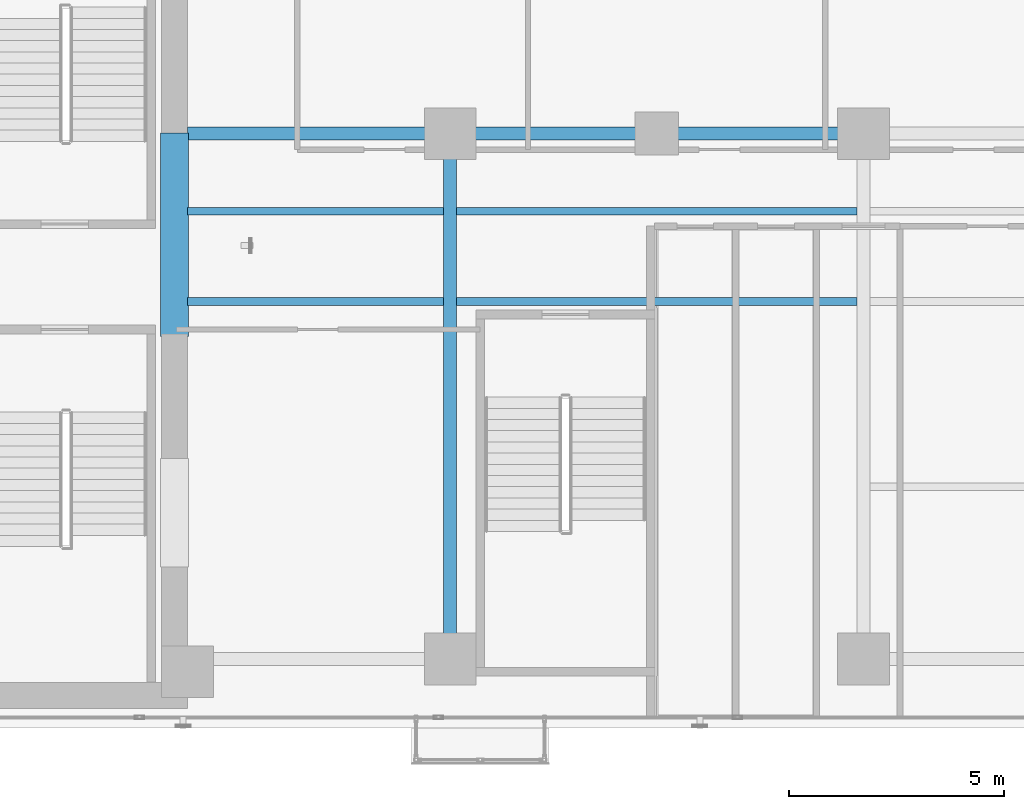
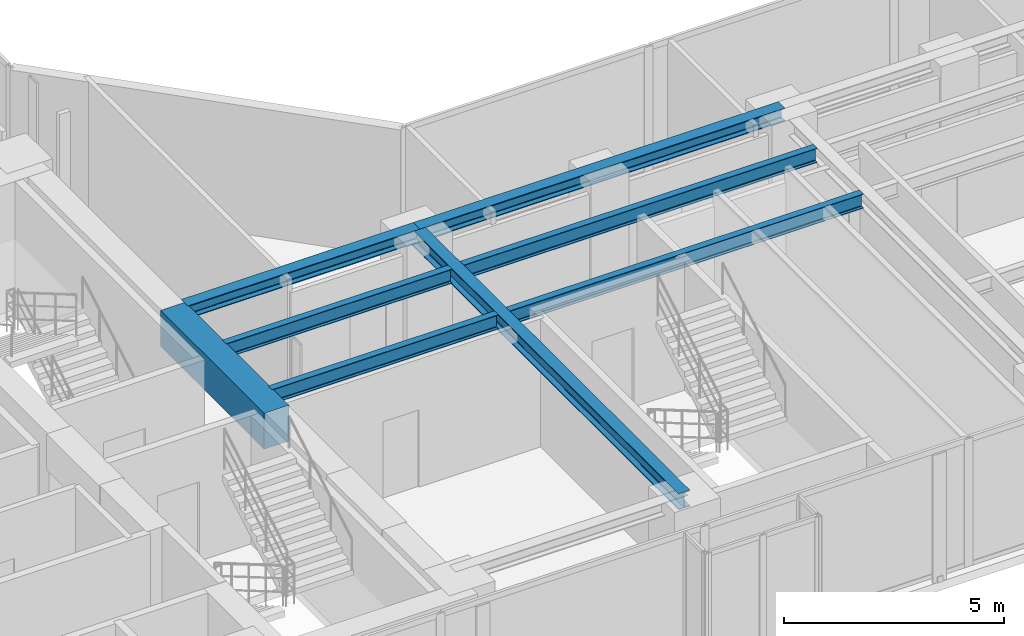
# One storey, part 5 of 24: 8 beams.
"""IFC4 building model written with IfcOpenShell, lengths in metres."""

from ifc_helpers import new_model, si_unit, direction, frame, origin, origin_2d, place, context, subcontext, project, spatial, rectangle, i_section, extrude, material, material_profile, profile_set, type_object, element, save


model = new_model("IFC4")

# Units and contexts
model_context = context("Model", 3, precision=1e-05, world=origin(), true_north=direction((0.0, 1.0)))
body_context = subcontext(model_context, "Body", "Model", "MODEL_VIEW")
ifc_project = project(units=[si_unit("LENGTHUNIT", "METRE"), si_unit("AREAUNIT", "SQUARE_METRE"), si_unit("VOLUMEUNIT", "CUBIC_METRE"), si_unit("PLANEANGLEUNIT", "RADIAN"), si_unit("MASSUNIT", "GRAM", prefix="KILO")], contexts=[model_context])

# Site, building, storey
site_placement = place(None, origin())
site = spatial("IfcSite", under=ifc_project, at=site_placement, CompositionType="ELEMENT")
building_placement = place(site_placement, origin())
building = spatial("IfcBuilding", under=site, at=building_placement, Name="Kolvaren Waterfront Exchange", CompositionType="ELEMENT")
storey_placement = place(building_placement, frame((0.0, 0.0, 184.199951171875)))
storey = spatial("IfcBuildingStorey", under=building, at=storey_placement, Name="L47", CompositionType="ELEMENT", Elevation=184.199951171875)

# Beams
ifc_material_1 = material(Name="Steel S355", Category="steel")
ifc_material_profile_1 = material_profile(ifc_material_1, i_section(OverallWidth=0.300048828125, OverallDepth=0.360107421875, WebThickness=0.012451171875, FlangeThickness=0.0224609375, FilletRadius=0.027099609375, at=origin_2d()), Name="HEB360")
ifc_profile_set_1 = profile_set([ifc_material_profile_1], Name="Steel S355")
beam_type_1 = type_object("IfcBeamType", Name="STR-BM-HEB360", PredefinedType="SPANDREL", material=ifc_profile_set_1)
beam_1_placement = place(storey_placement, frame((21.10009765625, 17.39990234375, 3.380126953125), z_axis=(1.0, 0.0, 0.0), x_axis=(0.0, 1.0, 0.0)))
element("IfcBeam", 1, at=beam_1_placement, inside=storey, type_object=beam_type_1, Name="L47 east-arm spandrel N1", PredefinedType="SPANDREL", context=body_context, shape_type="SweptSolid", body=[
    extrude(i_section(OverallWidth=0.300048828125, OverallDepth=0.360107421875, WebThickness=0.012451171875, FlangeThickness=0.0224609375, FilletRadius=0.027099609375, at=origin_2d()), origin(), (0.0, 0.0, 1.0), 6.099853515625),
])
beam_2_placement = place(storey_placement, frame((27.199951171875, 17.39990234375, 3.380126953125), z_axis=(1.0, 0.0, 0.0), x_axis=(0.0, 1.0, 0.0)))
element("IfcBeam", 2, at=beam_2_placement, inside=storey, type_object=beam_type_1, Name="L47 east-arm spandrel N2", PredefinedType="SPANDREL", context=body_context, shape_type="SweptSolid", body=[
    extrude(i_section(OverallWidth=0.300048828125, OverallDepth=0.360107421875, WebThickness=0.012451171875, FlangeThickness=0.0224609375, FilletRadius=0.027099609375, at=origin_2d()), origin(), (0.0, 0.0, 1.0), 9.60009765625),
])
ifc_material_profile_2 = material_profile(ifc_material_1, i_section(OverallWidth=0.300048828125, OverallDepth=0.449951171875, WebThickness=0.013916015625, FlangeThickness=0.02587890625, FilletRadius=0.027099609375, at=origin_2d()), Name="HEB450")
ifc_profile_set_2 = profile_set([ifc_material_profile_2], Name="Steel S355")
beam_type_2 = type_object("IfcBeamType", Name="STR-BM-HEB450", PredefinedType="BEAM", material=ifc_profile_set_2)
beam_3_placement = place(storey_placement, frame((27.199951171875, 5.199951171875, 3.3349609375), z_axis=(0.0, 1.0, 0.0), x_axis=(-1.0, 0.0, 0.0)))
element("IfcBeam", 3, at=beam_3_placement, inside=storey, type_object=beam_type_2, Name="L47 east-arm transverse girder X27", PredefinedType="BEAM", context=body_context, shape_type="SweptSolid", body=[
    extrude(i_section(OverallWidth=0.300048828125, OverallDepth=0.449951171875, WebThickness=0.013916015625, FlangeThickness=0.02587890625, FilletRadius=0.027099609375, at=origin_2d()), origin(), (0.0, 0.0, 1.0), 12.199951171875),
])
ifc_material_profile_3 = material_profile(ifc_material_1, i_section(OverallWidth=0.179931640625, OverallDepth=0.39990234375, WebThickness=0.008544921875, FlangeThickness=0.013427734375, FilletRadius=0.02099609375, at=origin_2d()), Name="IPE400")
ifc_profile_set_3 = profile_set([ifc_material_profile_3], Name="Steel S355")
beam_type_3 = type_object("IfcBeamType", Name="STR-BM-IPE400", PredefinedType="JOIST", material=ifc_profile_set_3)
for number, where, z_axis, x_axis, name in (
    (4, (21.10009765625, 13.5, 3.360107421875), (1.0, 0.0, 0.0), (0.0, 1.0, 0.0), "L47 east-arm composite joist 1A"),
    (5, (21.10009765625, 15.60009765625, 3.360107421875), (1.0, 0.0, 0.0), (0.0, 1.0, 0.0), "L47 east-arm composite joist 1C"),
):
    element("IfcBeam", number, at=place(storey_placement, frame(where, z_axis=z_axis, x_axis=x_axis)), inside=storey, type_object=beam_type_3, Name=name, PredefinedType="JOIST", context=body_context, shape_type="SweptSolid", body=[
        extrude(i_section(OverallWidth=0.179931640625, OverallDepth=0.39990234375, WebThickness=0.008544921875, FlangeThickness=0.013427734375, FilletRadius=0.02099609375, at=origin_2d()), origin(), (0.0, 0.0, 1.0), 5.947998046875),
    ])
for number, where, z_axis, x_axis, name in (
    (6, (27.35205078125, 13.5, 3.360107421875), (1.0, 0.0, 0.0), (0.0, 1.0, 0.0), "L47 east-arm composite joist 2A"),
    (7, (27.35205078125, 15.60009765625, 3.360107421875), (1.0, 0.0, 0.0), (0.0, 1.0, 0.0), "L47 east-arm composite joist 2C"),
):
    element("IfcBeam", number, at=place(storey_placement, frame(where, z_axis=z_axis, x_axis=x_axis)), inside=storey, type_object=beam_type_3, Name=name, PredefinedType="JOIST", context=body_context, shape_type="SweptSolid", body=[
        extrude(i_section(OverallWidth=0.179931640625, OverallDepth=0.39990234375, WebThickness=0.008544921875, FlangeThickness=0.013427734375, FilletRadius=0.02099609375, at=origin_2d()), origin(), (0.0, 0.0, 1.0), 9.2958984375),
    ])
ifc_material_2 = material(Name="Concrete C60/75", Category="concrete")
ifc_material_profile_4 = material_profile(ifc_material_2, rectangle(XDim=0.64990234375, YDim=1.0, at=origin_2d()), Name="RC-CB-1000x650")
ifc_profile_set_4 = profile_set([ifc_material_profile_4], Name="Concrete C60/75")
beam_type_4 = type_object("IfcBeamType", Name="STR-CB-1000", PredefinedType="SPANDREL", material=ifc_profile_set_4)
beam_4_placement = place(storey_placement, frame((20.800048828125, 12.68994140625, 3.06005859375), z_axis=(0.0, 1.0, 0.0), x_axis=(-1.0, 0.0, 0.0)))
element("IfcBeam", 8, at=beam_4_placement, inside=storey, type_object=beam_type_4, Name="L47 core coupling beam 2", PredefinedType="SPANDREL", context=body_context, shape_type="SweptSolid", body=[
    extrude(rectangle(XDim=0.64990234375, YDim=1.0, at=origin_2d()), origin(), (0.0, 0.0, 1.0), 4.719970703125),
])

save(model, "model.ifc")
